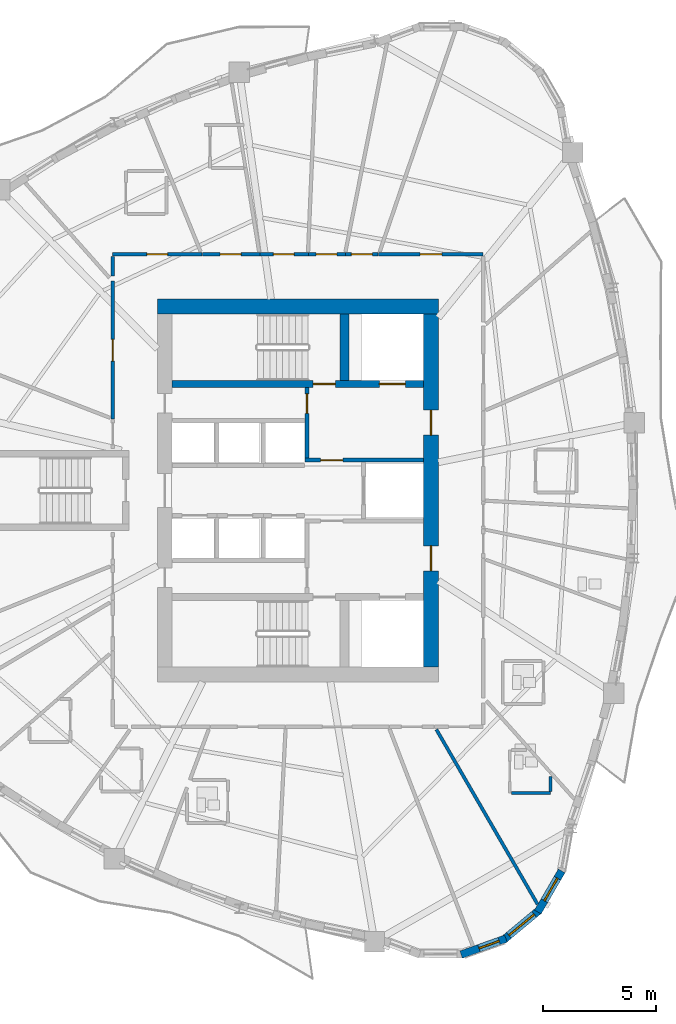
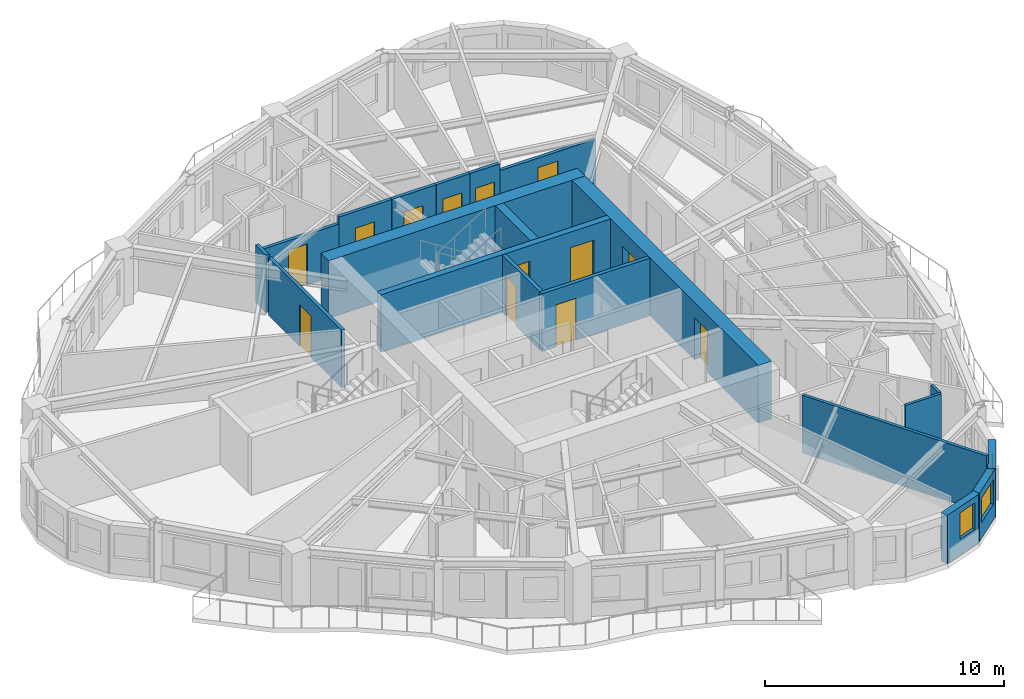
# One storey, part 6 of 13: 20 walls, 13 doors, 3 windows, 16 openings.
"""IFC4 building model written with IfcOpenShell, lengths in metres."""

from ifc_helpers import new_model, si_unit, direction, frame, frame_2d, origin, place, context, subcontext, project, spatial, rectangle, extrude, source, transform, mapped, material, layer, layer_set, type_object, element, fill, save


model = new_model("IFC4")

# Units and contexts
model_context = context("Model", 3, precision=1e-05, world=origin(), true_north=direction((0.0, 1.0)))
body_context = subcontext(model_context, "Body", "Model", "MODEL_VIEW")
ifc_project = project(units=[si_unit("LENGTHUNIT", "METRE"), si_unit("AREAUNIT", "SQUARE_METRE"), si_unit("VOLUMEUNIT", "CUBIC_METRE"), si_unit("PLANEANGLEUNIT", "RADIAN"), si_unit("MASSUNIT", "GRAM", prefix="KILO")], contexts=[model_context])

# Site, building, storey
site_placement = place(None, origin())
site = spatial("IfcSite", under=ifc_project, at=site_placement, CompositionType="ELEMENT")
building_placement = place(site_placement, origin())
building = spatial("IfcBuilding", under=site, at=building_placement, Name="Qafzar Sky-Pleat Residences", CompositionType="ELEMENT")
storey_placement = place(building_placement, frame((0.0, 0.0, 99.199951171875)))
storey = spatial("IfcBuildingStorey", under=building, at=storey_placement, Name="L29", CompositionType="ELEMENT", Elevation=99.199951171875)

# Wall, opening, door
ifc_material_1 = material(Name="Acoustic gypsum plasterboard partition", Category="gypsum")
ifc_layer_1 = layer(ifc_material_1, 0.159912109375)
ifc_layer_set_1 = layer_set([ifc_layer_1], Name="Acoustic gypsum plasterboard partition")
wall_type_1 = type_object("IfcWallType", Name="PART-COR-160", PredefinedType="PARTITIONING", material=ifc_layer_set_1)
wall_1_placement = place(storey_placement, frame((22.169921875, 29.14794921875, 0.0), z_axis=(0.0, 0.0, 1.0), x_axis=(0.0, 1.0, 0.0)))
wall_1 = element("IfcWall", 1, at=wall_1_placement, inside=storey, type_object=wall_type_1, Name="L29 Partition Wall PART-L29-PW-002", PredefinedType="PARTITIONING", context=body_context, shape_type="SweptSolid", body=[
    extrude(rectangle(XDim=6.10595703125, YDim=0.159912109375, at=frame_2d((3.052978515625, 0.0))), origin(), (0.0, 0.0, 1.0), 2.949951171875),
])
opening_1_placement = place(wall_1_placement, frame((2.569580078125, 0.0, 0.0)))
opening_1 = element("IfcOpeningElement", 2, at=opening_1_placement, cuts=wall_1, Name="Opening ID-06", PredefinedType="OPENING", context=body_context, shape_type="SweptSolid", body=[
    extrude(rectangle(XDim=0.9599609375, YDim=2.10009765625, at=frame_2d((0.47998046875, 1.050048828125))), frame((0.0, 0.08984375, 0.0), z_axis=(0.0, -1.0, 0.0), x_axis=(1.0, 0.0, 0.0)), (0.0, 0.0, 1.0), 0.179931640625),
])
ifc_material_2 = material(Name="Timber-faced fire door", Category="wood")
door_type_1 = type_object("IfcDoorType", Name="DR-STD-960", OperationType="NOTDEFINED", PredefinedType="DOOR", material=ifc_material_2)
shared_shape_1 = source(origin(), body_context, "Body", "SweptSolid", [
    extrude(rectangle(XDim=0.9599609375, YDim=2.10009765625, at=frame_2d((0.47998046875, 1.050048828125))), frame((0.0, 0.02490234375, 0.0), z_axis=(0.0, -1.0, 0.0), x_axis=(1.0, 0.0, 0.0)), (0.0, 0.0, 1.0), 0.050048828125),
])
door_1_placement = place(opening_1_placement, origin())
door_1 = element("IfcDoor", 3, at=door_1_placement, inside=storey, type_object=door_type_1, Name="L29 Media Screening Room Door", OperationType="SINGLE_SWING_LEFT", OverallHeight=2.10009765625, OverallWidth=0.9599609375, PredefinedType="DOOR", context=body_context, shape_type="MappedRepresentation", body=[
    mapped(shared_shape_1, transform((0.0, 0.0, 0.0), x_axis=(1.0, 0.0, 0.0), y_axis=(0.0, 1.0, 0.0), z_axis=(0.0, 0.0, 1.0), scale=1.0)),
])
fill(opening_1, door_1)

wall_2_placement = place(storey_placement, frame((33.906005859375, 36.429931640625, 0.0), z_axis=(0.0, 0.0, 1.0), x_axis=(1.0, 0.0, 0.0)))
wall_2 = element("IfcWall", 4, at=wall_2_placement, inside=storey, type_object=wall_type_1, Name="L29 Partition Wall PART-L29-PW-003", PredefinedType="PARTITIONING", context=body_context, shape_type="SweptSolid", body=[
    extrude(rectangle(XDim=4.6240234375, YDim=0.159912109375, at=frame_2d((2.31201171875, 0.0))), origin(), (0.0, 0.0, 1.0), 2.588134765625),
])
opening_2_placement = place(wall_2_placement, frame((1.840087890625, 0.0, 0.0)))
opening_2 = element("IfcOpeningElement", 5, at=opening_2_placement, cuts=wall_2, Name="Opening ID-06", PredefinedType="OPENING", context=body_context, shape_type="SweptSolid", body=[
    extrude(rectangle(XDim=0.9599609375, YDim=2.10009765625, at=frame_2d((0.47998046875, 1.050048828125))), frame((0.0, 0.08984375, 0.0), z_axis=(0.0, -1.0, 0.0), x_axis=(1.0, 0.0, 0.0)), (0.0, 0.0, 1.0), 0.179931640625),
])
door_2_placement = place(opening_2_placement, origin())
door_2 = element("IfcDoor", 6, at=door_2_placement, inside=storey, type_object=door_type_1, Name="L29 Wellness Yoga Studio Door", OperationType="SINGLE_SWING_RIGHT", OverallHeight=2.10009765625, OverallWidth=0.9599609375, PredefinedType="DOOR", context=body_context, shape_type="MappedRepresentation", body=[
    mapped(shared_shape_1, transform((0.0, 0.0, 0.0), x_axis=(1.0, 0.0, 0.0), y_axis=(0.0, 1.0, 0.0), z_axis=(0.0, 0.0, 1.0), scale=1.0)),
])
fill(opening_2, door_2)

wall_3_placement = place(storey_placement, frame((22.169921875, 36.429931640625, 0.0), z_axis=(0.0, 0.0, 1.0), x_axis=(1.0, 0.0, 0.0)))
wall_3 = element("IfcWall", 7, at=wall_3_placement, inside=storey, type_object=wall_type_1, Name="L29 Partition Wall PART-L29-PW-006", PredefinedType="PARTITIONING", context=body_context, shape_type="SweptSolid", body=[
    extrude(rectangle(XDim=3.947998046875, YDim=0.159912109375, at=frame_2d((1.97412109375, 0.0))), origin(), (0.0, 0.0, 1.0), 2.588134765625),
])
opening_3_placement = place(wall_3_placement, frame((1.506103515625, 0.0, 0.0)))
opening_3 = element("IfcOpeningElement", 8, at=opening_3_placement, cuts=wall_3, Name="Opening ID-04", PredefinedType="OPENING", context=body_context, shape_type="SweptSolid", body=[
    extrude(rectangle(XDim=0.919921875, YDim=2.10009765625, at=frame_2d((0.4599609375, 1.050048828125))), frame((0.0, 0.08984375, 0.0), z_axis=(0.0, -1.0, 0.0), x_axis=(1.0, 0.0, 0.0)), (0.0, 0.0, 1.0), 0.179931640625),
])
door_type_2 = type_object("IfcDoorType", Name="DR-BED-920", OperationType="NOTDEFINED", PredefinedType="DOOR", material=ifc_material_2)
shared_shape_2 = source(origin(), body_context, "Body", "SweptSolid", [
    extrude(rectangle(XDim=0.919921875, YDim=2.10009765625, at=frame_2d((0.4599609375, 1.050048828125))), frame((0.0, 0.02490234375, 0.0), z_axis=(0.0, -1.0, 0.0), x_axis=(1.0, 0.0, 0.0)), (0.0, 0.0, 1.0), 0.050048828125),
])
door_3_placement = place(opening_3_placement, origin())
door_3 = element("IfcDoor", 9, at=door_3_placement, inside=storey, type_object=door_type_2, Name="L29 Co-Living Bedroom 10 Door", OperationType="SINGLE_SWING_RIGHT", OverallHeight=2.10009765625, OverallWidth=0.919921875, PredefinedType="DOOR", context=body_context, shape_type="MappedRepresentation", body=[
    mapped(shared_shape_2, transform((0.0, 0.0, 0.0), x_axis=(1.0, 0.0, 0.0), y_axis=(0.0, 1.0, 0.0), z_axis=(0.0, 0.0, 1.0), scale=1.0)),
])
fill(opening_3, door_3)

wall_4_placement = place(storey_placement, frame((26.133056640625, 36.429931640625, 0.0), z_axis=(0.0, 0.0, 1.0), x_axis=(1.0, 0.0, 0.0)))
wall_4 = element("IfcWall", 10, at=wall_4_placement, inside=storey, type_object=wall_type_1, Name="L29 Partition Wall PART-L29-PW-011", PredefinedType="PARTITIONING", context=body_context, shape_type="SweptSolid", body=[
    extrude(rectangle(XDim=2.537841796875, YDim=0.159912109375, at=frame_2d((1.26904296875, 0.0))), origin(), (0.0, 0.0, 1.0), 2.949951171875),
])
opening_4_placement = place(wall_4_placement, frame((0.785888671875, 0.0, 0.0)))
opening_4 = element("IfcOpeningElement", 11, at=opening_4_placement, cuts=wall_4, Name="Opening ID-04", PredefinedType="OPENING", context=body_context, shape_type="SweptSolid", body=[
    extrude(rectangle(XDim=0.919921875, YDim=2.10009765625, at=frame_2d((0.4599609375, 1.050048828125))), frame((0.0, 0.08984375, 0.0), z_axis=(0.0, -1.0, 0.0), x_axis=(1.0, 0.0, 0.0)), (0.0, 0.0, 1.0), 0.179931640625),
])
door_4_placement = place(opening_4_placement, origin())
door_4 = element("IfcDoor", 12, at=door_4_placement, inside=storey, type_object=door_type_2, Name="L29 Co-Living Bedroom 8 Door", OperationType="SINGLE_SWING_RIGHT", OverallHeight=2.10009765625, OverallWidth=0.919921875, PredefinedType="DOOR", context=body_context, shape_type="MappedRepresentation", body=[
    mapped(shared_shape_2, transform((0.0, 0.0, 0.0), x_axis=(1.0, 0.0, 0.0), y_axis=(0.0, 1.0, 0.0), z_axis=(0.0, 0.0, 1.0), scale=1.0)),
])
fill(opening_4, door_4)

wall_5_placement = place(storey_placement, frame((28.68603515625, 36.429931640625, 0.0), z_axis=(0.0, 0.0, 1.0), x_axis=(1.0, 0.0, 0.0)))
wall_5 = element("IfcWall", 13, at=wall_5_placement, inside=storey, type_object=wall_type_1, Name="L29 Partition Wall PART-L29-PW-014", PredefinedType="PARTITIONING", context=body_context, shape_type="SweptSolid", body=[
    extrude(rectangle(XDim=2.123046875, YDim=0.159912109375, at=frame_2d((1.0615234375, 0.0))), origin(), (0.0, 0.0, 1.0), 2.949951171875),
])
opening_5_placement = place(wall_5_placement, frame((0.5791015625, 0.0, 0.0)))
opening_5 = element("IfcOpeningElement", 14, at=opening_5_placement, cuts=wall_5, Name="Opening ID-04", PredefinedType="OPENING", context=body_context, shape_type="SweptSolid", body=[
    extrude(rectangle(XDim=0.919921875, YDim=2.10009765625, at=frame_2d((0.4599609375, 1.050048828125))), frame((0.0, 0.08984375, 0.0), z_axis=(0.0, -1.0, 0.0), x_axis=(1.0, 0.0, 0.0)), (0.0, 0.0, 1.0), 0.179931640625),
])
door_5_placement = place(opening_5_placement, origin())
door_5 = element("IfcDoor", 15, at=door_5_placement, inside=storey, type_object=door_type_2, Name="L29 Co-Living Bedroom 9 Door", OperationType="SINGLE_SWING_LEFT", OverallHeight=2.10009765625, OverallWidth=0.919921875, PredefinedType="DOOR", context=body_context, shape_type="MappedRepresentation", body=[
    mapped(shared_shape_2, transform((0.0, 0.0, 0.0), x_axis=(1.0, 0.0, 0.0), y_axis=(0.0, 1.0, 0.0), z_axis=(0.0, 0.0, 1.0), scale=1.0)),
])
fill(opening_5, door_5)

wall_6_placement = place(storey_placement, frame((30.823974609375, 36.429931640625, 0.0), z_axis=(0.0, 0.0, 1.0), x_axis=(1.0, 0.0, 0.0)))
wall_6 = element("IfcWall", 16, at=wall_6_placement, inside=storey, type_object=wall_type_1, Name="L29 Partition Wall PART-L29-PW-024", PredefinedType="PARTITIONING", context=body_context, shape_type="SweptSolid", body=[
    extrude(rectangle(XDim=1.619140625, YDim=0.159912109375, at=frame_2d((0.8095703125, 0.0))), origin(), (0.0, 0.0, 1.0), 2.949951171875),
])
opening_6_placement = place(wall_6_placement, frame((0.326904296875, 0.0, 0.0)))
opening_6 = element("IfcOpeningElement", 17, at=opening_6_placement, cuts=wall_6, Name="Opening ID-04", PredefinedType="OPENING", context=body_context, shape_type="SweptSolid", body=[
    extrude(rectangle(XDim=0.919921875, YDim=2.10009765625, at=frame_2d((0.4599609375, 1.050048828125))), frame((0.0, 0.08984375, 0.0), z_axis=(0.0, -1.0, 0.0), x_axis=(1.0, 0.0, 0.0)), (0.0, 0.0, 1.0), 0.179931640625),
])
door_6_placement = place(opening_6_placement, origin())
door_6 = element("IfcDoor", 18, at=door_6_placement, inside=storey, type_object=door_type_2, Name="L29 Co-Living Bedroom 6 Door", OperationType="SINGLE_SWING_LEFT", OverallHeight=2.10009765625, OverallWidth=0.919921875, PredefinedType="DOOR", context=body_context, shape_type="MappedRepresentation", body=[
    mapped(shared_shape_2, transform((0.0, 0.0, 0.0), x_axis=(1.0, 0.0, 0.0), y_axis=(0.0, 1.0, 0.0), z_axis=(0.0, 0.0, 1.0), scale=1.0)),
])
fill(opening_6, door_6)

wall_7_placement = place(storey_placement, frame((32.4580078125, 36.429931640625, 0.0), z_axis=(0.0, 0.0, 1.0), x_axis=(1.0, 0.0, 0.0)))
wall_7 = element("IfcWall", 19, at=wall_7_placement, inside=storey, type_object=wall_type_1, Name="L29 Partition Wall PART-L29-PW-027", PredefinedType="PARTITIONING", context=body_context, shape_type="SweptSolid", body=[
    extrude(rectangle(XDim=1.43310546875, YDim=0.159912109375, at=frame_2d((0.716552734375, 0.0))), origin(), (0.0, 0.0, 1.0), 2.949951171875),
])
opening_7_placement = place(wall_7_placement, frame((0.257080078125, 0.0, 0.0)))
opening_7 = element("IfcOpeningElement", 20, at=opening_7_placement, cuts=wall_7, Name="Opening ID-04", PredefinedType="OPENING", context=body_context, shape_type="SweptSolid", body=[
    extrude(rectangle(XDim=0.919921875, YDim=2.10009765625, at=frame_2d((0.4599609375, 1.050048828125))), frame((0.0, 0.08984375, 0.0), z_axis=(0.0, -1.0, 0.0), x_axis=(1.0, 0.0, 0.0)), (0.0, 0.0, 1.0), 0.179931640625),
])
door_7_placement = place(opening_7_placement, origin())
door_7 = element("IfcDoor", 21, at=door_7_placement, inside=storey, type_object=door_type_2, Name="L29 Co-Living Bedroom 7 Door", OperationType="SINGLE_SWING_RIGHT", OverallHeight=2.10009765625, OverallWidth=0.919921875, PredefinedType="DOOR", context=body_context, shape_type="MappedRepresentation", body=[
    mapped(shared_shape_2, transform((0.0, 0.0, 0.0), x_axis=(1.0, 0.0, 0.0), y_axis=(0.0, 1.0, 0.0), z_axis=(0.0, 0.0, 1.0), scale=1.0)),
])
fill(opening_7, door_7)

# Wall
wall_8_placement = place(storey_placement, frame((22.169921875, 35.4765625, 0.0), z_axis=(0.0, 0.0, 1.0), x_axis=(0.0, 1.0, 0.0)))
element("IfcWall", 22, at=wall_8_placement, inside=storey, type_object=wall_type_1, Name="L29 Partition Wall PART-L29-PW-080", PredefinedType="PARTITIONING", context=body_context, shape_type="SweptSolid", body=[
    extrude(rectangle(XDim=0.865478515625, YDim=0.159912109375, at=frame_2d((0.4326171875, 0.0))), origin(), (0.0, 0.0, 1.0), 2.949951171875),
])

# Wall, opening, door
ifc_material_3 = material(Name="Concrete blockwork partition", Category="masonry")
ifc_layer_2 = layer(ifc_material_3, 0.179931640625)
ifc_layer_set_2 = layer_set([ifc_layer_2], Name="Concrete blockwork partition")
wall_type_2 = type_object("IfcWallType", Name="PART-SHAFT-180", PredefinedType="PARTITIONING", material=ifc_layer_set_2)
wall_9_placement = place(storey_placement, frame((30.75, 27.429931640625, 0.0), z_axis=(0.0, 0.0, 1.0), x_axis=(0.0, 1.0, 0.0)))
wall_9 = element("IfcWall", 23, at=wall_9_placement, inside=storey, type_object=wall_type_2, Name="L29 Partition Wall PART-L29-FFL2-W", PredefinedType="PARTITIONING", context=body_context, shape_type="SweptSolid", body=[
    extrude(rectangle(XDim=3.110107421875, YDim=0.179931640625, at=frame_2d((1.55517578125, 0.0))), origin(), (0.0, 0.0, 1.0), 2.949951171875),
])
opening_8_placement = place(wall_9_placement, frame((1.97998046875, 0.0, 0.0)))
opening_8 = element("IfcOpeningElement", 24, at=opening_8_placement, cuts=wall_9, Name="Opening ID-09", PredefinedType="OPENING", context=body_context, shape_type="SweptSolid", body=[
    extrude(rectangle(XDim=0.860107421875, YDim=2.050048828125, at=frame_2d((0.43017578125, 1.02490234375))), frame((0.0, 0.10009765625, 0.0), z_axis=(0.0, -1.0, 0.0), x_axis=(1.0, 0.0, 0.0)), (0.0, 0.0, 1.0), 0.199951171875),
])
door_type_3 = type_object("IfcDoorType", Name="DR-SVC-860", OperationType="NOTDEFINED", PredefinedType="DOOR", material=ifc_material_2)
shared_shape_3 = source(origin(), body_context, "Body", "SweptSolid", [
    extrude(rectangle(XDim=0.860107421875, YDim=2.050048828125, at=frame_2d((0.43017578125, 1.02490234375))), frame((0.0, 0.02490234375, 0.0), z_axis=(0.0, -1.0, 0.0), x_axis=(1.0, 0.0, 0.0)), (0.0, 0.0, 1.0), 0.050048828125),
])
door_8_placement = place(opening_8_placement, origin())
door_8 = element("IfcDoor", 25, at=door_8_placement, inside=storey, type_object=door_type_3, Name="L29 North Core Cupboard Door", OperationType="SINGLE_SWING_RIGHT", OverallHeight=2.050048828125, OverallWidth=0.860107421875, PredefinedType="DOOR", context=body_context, shape_type="MappedRepresentation", body=[
    mapped(shared_shape_3, transform((0.0, 0.0, 0.0), x_axis=(1.0, 0.0, 0.0), y_axis=(0.0, 1.0, 0.0), z_axis=(0.0, 0.0, 1.0), scale=1.0)),
])
fill(opening_8, door_8)

wall_10_placement = place(storey_placement, frame((30.669921875, 27.340087890625, 0.0), z_axis=(0.0, 0.0, 1.0), x_axis=(1.0, 0.0, 0.0)))
wall_10 = element("IfcWall", 26, at=wall_10_placement, inside=storey, type_object=wall_type_2, Name="L29 Partition Wall PART-L29-FFL2-S", PredefinedType="PARTITIONING", context=body_context, shape_type="SweptSolid", body=[
    extrude(rectangle(XDim=5.219970703125, YDim=0.179931640625, at=frame_2d((2.60986328125, 0.0))), origin(), (0.0, 0.0, 1.0), 2.949951171875),
])
opening_9_placement = place(wall_10_placement, frame((0.679931640625, 0.0, 0.0)))
opening_9 = element("IfcOpeningElement", 27, at=opening_9_placement, cuts=wall_10, Name="Opening ID-01", PredefinedType="OPENING", context=body_context, shape_type="SweptSolid", body=[
    extrude(rectangle(XDim=0.97998046875, YDim=2.14990234375, at=frame_2d((0.489990234375, 1.074951171875))), frame((0.0, 0.10009765625, 0.0), z_axis=(0.0, -1.0, 0.0), x_axis=(1.0, 0.0, 0.0)), (0.0, 0.0, 1.0), 0.199951171875),
])
door_type_4 = type_object("IfcDoorType", Name="DR-STAIR-980", OperationType="NOTDEFINED", PredefinedType="DOOR", material=ifc_material_2)
shared_shape_4 = source(origin(), body_context, "Body", "SweptSolid", [
    extrude(rectangle(XDim=0.97998046875, YDim=2.14990234375, at=frame_2d((0.489990234375, 1.074951171875))), frame((0.0, 0.02490234375, 0.0), z_axis=(0.0, -1.0, 0.0), x_axis=(1.0, 0.0, 0.0)), (0.0, 0.0, 1.0), 0.050048828125),
])
door_9_placement = place(opening_9_placement, origin())
door_9 = element("IfcDoor", 28, at=door_9_placement, inside=storey, type_object=door_type_4, Name="L29 Lift Lobby to North Firefighting Lobby Door", OperationType="SINGLE_SWING_LEFT", OverallHeight=2.14990234375, OverallWidth=0.97998046875, PredefinedType="DOOR", context=body_context, shape_type="MappedRepresentation", body=[
    mapped(shared_shape_4, transform((0.0, 0.0, 0.0), x_axis=(1.0, 0.0, 0.0), y_axis=(0.0, 1.0, 0.0), z_axis=(0.0, 0.0, 1.0), scale=1.0)),
])
fill(opening_9, door_9)

# Walls
ifc_layer_3 = layer(ifc_material_1, 0.14501953125)
ifc_layer_set_3 = layer_set([ifc_layer_3], Name="Acoustic gypsum plasterboard partition")
wall_type_3 = type_object("IfcWallType", Name="PART-UNIT-145", PredefinedType="PARTITIONING", material=ifc_layer_set_3)
wall_11_placement = place(storey_placement, frame((36.46337890625, 15.44677734375, 0.0), z_axis=(0.0, 0.0, 1.0), x_axis=(0.501201369888, -0.86533068062, 0.0)))
element("IfcWall", 29, at=wall_11_placement, inside=storey, type_object=wall_type_3, Name="L29 Partition Wall PART-L29-PW-037", PredefinedType="PARTITIONING", context=body_context, shape_type="SweptSolid", body=[
    extrude(rectangle(XDim=8.91796875, YDim=0.14501953125, at=frame_2d((4.458984375, 0.0))), origin(), (0.0, 0.0, 1.0), 2.949951171875),
])
ifc_material_4 = material(Name="Moisture-resistant gypsum partition", Category="gypsum")
ifc_layer_4 = layer(ifc_material_4, 0.1298828125)
ifc_layer_set_4 = layer_set([ifc_layer_4], Name="Moisture-resistant gypsum partition")
wall_type_4 = type_object("IfcWallType", Name="PART-WET-130", PredefinedType="PARTITIONING", material=ifc_layer_set_4)
wall_12_placement = place(storey_placement, frame((39.777099609375, 12.64599609375, 0.0), z_axis=(0.0, 0.0, 1.0), x_axis=(1.0, 0.0, 0.0)))
element("IfcWall", 30, at=wall_12_placement, inside=storey, type_object=wall_type_4, Name="L29 Partition Wall PART-L29-PW-068", PredefinedType="PARTITIONING", context=body_context, shape_type="SweptSolid", body=[
    extrude(rectangle(XDim=1.726806640625, YDim=0.1298828125, at=frame_2d((0.86328125, 0.0))), origin(), (0.0, 0.0, 1.0), 2.949951171875),
])
wall_13_placement = place(storey_placement, frame((41.50390625, 12.718994140625, 0.0), z_axis=(0.0, 0.0, 1.0), x_axis=(0.0, 1.0, 0.0)))
element("IfcWall", 31, at=wall_13_placement, inside=storey, type_object=wall_type_4, Name="L29 Partition Wall PART-L29-PW-084", PredefinedType="PARTITIONING", context=body_context, shape_type="SweptSolid", body=[
    extrude(rectangle(XDim=0.642822265625, YDim=0.1298828125, at=frame_2d((0.3212890625, 0.0))), origin(), (0.0, 0.0, 1.0), 2.949951171875),
])

# Wall, opening, window
ifc_material_5 = material(Name="Precast concrete C40/50 with honed Riyadh limestone", Category="concrete")
ifc_layer_5 = layer(ifc_material_5, 0.340087890625)
ifc_layer_set_5 = layer_set([ifc_layer_5], Name="Precast concrete C40/50 with honed Riyadh limestone")
wall_type_5 = type_object("IfcWallType", Name="WALL-EXT-340", PredefinedType="SOLIDWALL", material=ifc_layer_set_5)
wall_14_placement = place(storey_placement, frame((37.556884765625, 5.506103515625, 0.0), z_axis=(0.0, 0.0, 1.0), x_axis=(0.941523304278, 0.336947870598, 0.0)))
wall_14 = element("IfcWall", 32, at=wall_14_placement, inside=storey, type_object=wall_type_5, Name="L29 Limestone Facade Wall 19", PredefinedType="SOLIDWALL", context=body_context, shape_type="SweptSolid", body=[
    extrude(rectangle(XDim=2.09912109375, YDim=0.340087890625, at=frame_2d((1.049560546875, 0.0))), origin(), (0.0, 0.0, 1.0), 2.47998046875),
])
opening_10_placement = place(wall_14_placement, frame((0.835205078125, 0.0, 0.820068359375)))
opening_10 = element("IfcOpeningElement", 33, at=opening_10_placement, cuts=wall_14, Name="Opening WN-12", PredefinedType="OPENING", context=body_context, shape_type="SweptSolid", body=[
    extrude(rectangle(XDim=0.949951171875, YDim=1.35009765625, at=frame_2d((0.47509765625, 0.675048828125))), frame((0.0, 0.18017578125, 0.0), z_axis=(0.0, -1.0, 0.0), x_axis=(1.0, 0.0, 0.0)), (0.0, 0.0, 1.0), 0.360107421875),
])
ifc_material_6 = material(Name="Solar-control low-E glass in bronze aluminium frame", Category="glass")
window_type_1 = type_object("IfcWindowType", Name="WIN-12", PartitioningType="SINGLE_PANEL", PredefinedType="WINDOW", material=ifc_material_6)
shared_shape_5 = source(origin(), body_context, "Body", "SweptSolid", [
    extrude(rectangle(XDim=0.949951171875, YDim=1.35009765625, at=frame_2d((0.47509765625, 0.675048828125))), frame((0.0, 0.030029296875, 0.0), z_axis=(0.0, -1.0, 0.0), x_axis=(1.0, 0.0, 0.0)), (0.0, 0.0, 1.0), 0.06005859375),
])
window_1_placement = place(opening_10_placement, origin())
window_1 = element("IfcWindow", 34, at=window_1_placement, inside=storey, type_object=window_type_1, Name="L29 Punched Facade Window 19-2", OverallHeight=1.35009765625, OverallWidth=0.949951171875, PartitioningType="SINGLE_PANEL", PredefinedType="WINDOW", context=body_context, shape_type="MappedRepresentation", body=[
    mapped(shared_shape_5, transform((0.0, 0.0, 0.0), x_axis=(1.0, 0.0, 0.0), y_axis=(0.0, 1.0, 0.0), z_axis=(0.0, 0.0, 1.0), scale=1.0)),
])
fill(opening_10, window_1)

wall_15_placement = place(storey_placement, frame((39.41650390625, 6.14697265625, 0.0), z_axis=(0.0, 0.0, 1.0), x_axis=(0.768497696041, 0.639852554249, 0.0)))
wall_15 = element("IfcWall", 35, at=wall_15_placement, inside=storey, type_object=wall_type_5, Name="L29 Limestone Facade Wall 20", PredefinedType="SOLIDWALL", context=body_context, shape_type="SweptSolid", body=[
    extrude(rectangle(XDim=2.098876953125, YDim=0.340087890625, at=frame_2d((1.04931640625, 0.0))), origin(), (0.0, 0.0, 1.0), 2.47998046875),
])
opening_11_placement = place(wall_15_placement, frame((0.324462890625, 0.0, 0.820068359375)))
opening_11 = element("IfcOpeningElement", 36, at=opening_11_placement, cuts=wall_15, Name="Opening WN-15", PredefinedType="OPENING", context=body_context, shape_type="SweptSolid", body=[
    extrude(rectangle(XDim=1.449951171875, YDim=1.25, at=frame_2d((0.72509765625, 0.625))), frame((0.0, 0.18017578125, 0.0), z_axis=(0.0, -1.0, 0.0), x_axis=(1.0, 0.0, 0.0)), (0.0, 0.0, 1.0), 0.360107421875),
])
window_type_2 = type_object("IfcWindowType", Name="WIN-15", PartitioningType="SINGLE_PANEL", PredefinedType="WINDOW", material=ifc_material_6)
shared_shape_6 = source(origin(), body_context, "Body", "SweptSolid", [
    extrude(rectangle(XDim=1.449951171875, YDim=1.25, at=frame_2d((0.72509765625, 0.625))), frame((0.0, 0.030029296875, 0.0), z_axis=(0.0, -1.0, 0.0), x_axis=(1.0, 0.0, 0.0)), (0.0, 0.0, 1.0), 0.06005859375),
])
window_2_placement = place(opening_11_placement, origin())
window_2 = element("IfcWindow", 37, at=window_2_placement, inside=storey, type_object=window_type_2, Name="L29 Punched Facade Window 20", OverallHeight=1.25, OverallWidth=1.449951171875, PartitioningType="SINGLE_PANEL", PredefinedType="WINDOW", context=body_context, shape_type="MappedRepresentation", body=[
    mapped(shared_shape_6, transform((0.0, 0.0, 0.0), x_axis=(1.0, 0.0, 0.0), y_axis=(0.0, 1.0, 0.0), z_axis=(0.0, 0.0, 1.0), scale=1.0)),
])
fill(opening_11, window_2)

wall_16_placement = place(storey_placement, frame((40.943115234375, 7.387451171875, 0.0), z_axis=(0.0, 0.0, 1.0), x_axis=(0.501902596059, 0.864924149315, 0.0)))
wall_16 = element("IfcWall", 38, at=wall_16_placement, inside=storey, type_object=wall_type_5, Name="L29 Limestone Facade Wall 21", PredefinedType="SOLIDWALL", context=body_context, shape_type="SweptSolid", body=[
    extrude(rectangle(XDim=2.098876953125, YDim=0.340087890625, at=frame_2d((1.04931640625, 0.0))), origin(), (0.0, 0.0, 1.0), 2.47998046875),
])
opening_12_placement = place(wall_16_placement, frame((0.573974609375, 0.0, 0.820068359375)))
opening_12 = element("IfcOpeningElement", 39, at=opening_12_placement, cuts=wall_16, Name="Opening WN-16", PredefinedType="OPENING", context=body_context, shape_type="SweptSolid", body=[
    extrude(rectangle(XDim=1.14990234375, YDim=1.199951171875, at=frame_2d((0.574951171875, 0.60009765625))), frame((0.0, 0.18017578125, 0.0), z_axis=(0.0, -1.0, 0.0), x_axis=(1.0, 0.0, 0.0)), (0.0, 0.0, 1.0), 0.360107421875),
])
window_type_3 = type_object("IfcWindowType", Name="WIN-16", PartitioningType="SINGLE_PANEL", PredefinedType="WINDOW", material=ifc_material_6)
shared_shape_7 = source(origin(), body_context, "Body", "SweptSolid", [
    extrude(rectangle(XDim=1.14990234375, YDim=1.199951171875, at=frame_2d((0.574951171875, 0.60009765625))), frame((0.0, 0.030029296875, 0.0), z_axis=(0.0, -1.0, 0.0), x_axis=(1.0, 0.0, 0.0)), (0.0, 0.0, 1.0), 0.06005859375),
])
window_3_placement = place(opening_12_placement, origin())
window_3 = element("IfcWindow", 40, at=window_3_placement, inside=storey, type_object=window_type_3, Name="L29 Punched Facade Window 21", OverallHeight=1.199951171875, OverallWidth=1.14990234375, PartitioningType="SINGLE_PANEL", PredefinedType="WINDOW", context=body_context, shape_type="MappedRepresentation", body=[
    mapped(shared_shape_7, transform((0.0, 0.0, 0.0), x_axis=(1.0, 0.0, 0.0), y_axis=(0.0, 1.0, 0.0), z_axis=(0.0, 0.0, 1.0), scale=1.0)),
])
fill(opening_12, window_3)

# Wall, openings, doors
ifc_material_7 = material(Name="Concrete C60/75", Category="concrete")
ifc_layer_6 = layer(ifc_material_7, 0.300048828125)
ifc_layer_set_6 = layer_set([ifc_layer_6], Name="Concrete C60/75")
wall_type_6 = type_object("IfcWallType", Name="WALL-SHEAR-300", PredefinedType="SHEAR", material=ifc_layer_set_6)
wall_17_placement = place(storey_placement, frame((24.800048828125, 30.699951171875, 0.0), z_axis=(0.0, 0.0, 1.0), x_axis=(1.0, 0.0, 0.0)))
wall_17 = element("IfcWall", 41, at=wall_17_placement, inside=storey, type_object=wall_type_6, Name="L29 Stair ST2 and FF2 Shaft South Wall", PredefinedType="SHEAR", context=body_context, shape_type="SweptSolid", body=[
    extrude(rectangle(XDim=11.099853515625, YDim=0.300048828125, at=frame_2d((5.5498046875, 0.0))), origin(), (0.0, 0.0, 1.0), 2.949951171875),
])
opening_13_placement = place(wall_17_placement, frame((6.219970703125, 0.0, 0.0)))
opening_13 = element("IfcOpeningElement", 42, at=opening_13_placement, cuts=wall_17, Name="Opening ID-01", PredefinedType="OPENING", context=body_context, shape_type="SweptSolid", body=[
    extrude(rectangle(XDim=0.97998046875, YDim=2.14990234375, at=frame_2d((0.489990234375, 1.074951171875))), frame((0.0, 0.16015625, 0.0), z_axis=(0.0, -1.0, 0.0), x_axis=(1.0, 0.0, 0.0)), (0.0, 0.0, 1.0), 0.320068359375),
])
opening_14_placement = place(wall_17_placement, frame((9.14990234375, 0.0, 0.0)))
opening_14 = element("IfcOpeningElement", 43, at=opening_14_placement, cuts=wall_17, Name="Opening LD-02", PredefinedType="OPENING", context=body_context, shape_type="SweptSolid", body=[
    extrude(rectangle(XDim=1.14990234375, YDim=2.14990234375, at=frame_2d((0.574951171875, 1.074951171875))), frame((0.0, 0.16015625, 0.0), z_axis=(0.0, -1.0, 0.0), x_axis=(1.0, 0.0, 0.0)), (0.0, 0.0, 1.0), 0.320068359375),
])
door_10_placement = place(opening_13_placement, origin())
door_10 = element("IfcDoor", 44, at=door_10_placement, inside=storey, type_object=door_type_4, Name="L29 Stair ST2 Fire Door", OperationType="SINGLE_SWING_RIGHT", OverallHeight=2.14990234375, OverallWidth=0.97998046875, PredefinedType="DOOR", context=body_context, shape_type="MappedRepresentation", body=[
    mapped(shared_shape_4, transform((0.0, 0.0, 0.0), x_axis=(1.0, 0.0, 0.0), y_axis=(0.0, 1.0, 0.0), z_axis=(0.0, 0.0, 1.0), scale=1.0)),
])
fill(opening_13, door_10)
ifc_material_8 = material(Name="Stainless steel sliding landing door", Category="steel")
door_type_5 = type_object("IfcDoorType", Name="DR-LIFT-FF", OperationType="DOUBLE_DOOR_SLIDING", PredefinedType="DOOR", material=ifc_material_8)
shared_shape_8 = source(origin(), body_context, "Body", "SweptSolid", [
    extrude(rectangle(XDim=1.14990234375, YDim=2.14990234375, at=frame_2d((0.574951171875, 1.074951171875))), frame((0.0, 0.02490234375, 0.0), z_axis=(0.0, -1.0, 0.0), x_axis=(1.0, 0.0, 0.0)), (0.0, 0.0, 1.0), 0.050048828125),
])
door_11_placement = place(opening_14_placement, origin())
door_11 = element("IfcDoor", 45, at=door_11_placement, inside=storey, type_object=door_type_5, Name="L29 Firefighting Lift FF2 Landing Door", OperationType="DOUBLE_DOOR_SLIDING", OverallHeight=2.14990234375, OverallWidth=1.14990234375, PredefinedType="DOOR", context=body_context, shape_type="MappedRepresentation", body=[
    mapped(shared_shape_8, transform((0.0, 0.0, 0.0), x_axis=(1.0, 0.0, 0.0), y_axis=(0.0, 1.0, 0.0), z_axis=(0.0, 0.0, 1.0), scale=1.0)),
])
fill(opening_14, door_11)

# Walls
ifc_layer_7 = layer(ifc_material_7, 0.39990234375)
ifc_layer_set_7 = layer_set([ifc_layer_7], Name="Concrete C60/75")
wall_type_7 = type_object("IfcWallType", Name="WALL-SHEAR-400", PredefinedType="SHEAR", material=ifc_layer_set_7)
wall_18_placement = place(storey_placement, frame((32.39990234375, 30.85009765625, 0.0), z_axis=(0.0, 0.0, 1.0), x_axis=(0.0, 1.0, 0.0)))
element("IfcWall", 46, at=wall_18_placement, inside=storey, type_object=wall_type_7, Name="L29 Stair ST2 East Dividing Wall", PredefinedType="SHEAR", context=body_context, shape_type="SweptSolid", body=[
    extrude(rectangle(XDim=2.949951171875, YDim=0.39990234375, at=frame_2d((1.47509765625, 0.0))), origin(), (0.0, 0.0, 1.0), 2.949951171875),
])
ifc_layer_8 = layer(ifc_material_7, 0.64990234375)
ifc_layer_set_8 = layer_set([ifc_layer_8], Name="Concrete C60/75")
wall_type_8 = type_object("IfcWallType", Name="WALL-SHEAR-650", PredefinedType="SHEAR", material=ifc_layer_set_8)
wall_19_placement = place(storey_placement, frame((36.550048828125, 34.125, 0.0), z_axis=(0.0, 0.0, 1.0), x_axis=(-1.0, 0.0, 0.0)))
element("IfcWall", 47, at=wall_19_placement, inside=storey, type_object=wall_type_8, Name="L29 CORE wall N", PredefinedType="SHEAR", context=body_context, shape_type="SweptSolid", body=[
    extrude(rectangle(XDim=12.400146484375, YDim=0.64990234375, at=frame_2d((6.2001953125, 0.0))), origin(), (0.0, 0.0, 1.0), 2.949951171875),
])

# Wall, openings, doors
wall_20_placement = place(storey_placement, frame((36.22509765625, 18.199951171875, 0.0), z_axis=(0.0, 0.0, 1.0), x_axis=(0.0, 1.0, 0.0)))
wall_20 = element("IfcWall", 48, at=wall_20_placement, inside=storey, type_object=wall_type_8, Name="L29 CORE wall E", PredefinedType="SHEAR", context=body_context, shape_type="SweptSolid", body=[
    extrude(rectangle(XDim=15.60009765625, YDim=0.64990234375, at=frame_2d((7.800048828125, 0.0))), origin(), (0.0, 0.0, 1.0), 2.949951171875),
])
opening_15_placement = place(wall_20_placement, frame((4.25, 0.0, 0.0)))
opening_15 = element("IfcOpeningElement", 49, at=opening_15_placement, cuts=wall_20, Name="Opening ID-02", PredefinedType="OPENING", context=body_context, shape_type="SweptSolid", body=[
    extrude(rectangle(XDim=1.10009765625, YDim=2.14990234375, at=frame_2d((0.550048828125, 1.074951171875))), frame((0.0, 0.3349609375, 0.0), z_axis=(0.0, -1.0, 0.0), x_axis=(1.0, 0.0, 0.0)), (0.0, 0.0, 1.0), 0.669921875),
])
opening_16_placement = place(wall_20_placement, frame((10.25, 0.0, 0.0)))
opening_16 = element("IfcOpeningElement", 50, at=opening_16_placement, cuts=wall_20, Name="Opening ID-02", PredefinedType="OPENING", context=body_context, shape_type="SweptSolid", body=[
    extrude(rectangle(XDim=1.10009765625, YDim=2.14990234375, at=frame_2d((0.550048828125, 1.074951171875))), frame((0.0, 0.3349609375, 0.0), z_axis=(0.0, -1.0, 0.0), x_axis=(1.0, 0.0, 0.0)), (0.0, 0.0, 1.0), 0.669921875),
])
door_type_6 = type_object("IfcDoorType", Name="DR-FFL-1100", OperationType="NOTDEFINED", PredefinedType="DOOR", material=ifc_material_2)
shared_shape_9 = source(origin(), body_context, "Body", "SweptSolid", [
    extrude(rectangle(XDim=1.10009765625, YDim=2.14990234375, at=frame_2d((0.550048828125, 1.074951171875))), frame((0.0, 0.02490234375, 0.0), z_axis=(0.0, -1.0, 0.0), x_axis=(1.0, 0.0, 0.0)), (0.0, 0.0, 1.0), 0.050048828125),
])
door_12_placement = place(opening_15_placement, origin())
door_12 = element("IfcDoor", 51, at=door_12_placement, inside=storey, type_object=door_type_6, Name="L29 Firefighting Lobby South Corridor Door", OperationType="SINGLE_SWING_RIGHT", OverallHeight=2.14990234375, OverallWidth=1.10009765625, PredefinedType="DOOR", context=body_context, shape_type="MappedRepresentation", body=[
    mapped(shared_shape_9, transform((0.0, 0.0, 0.0), x_axis=(1.0, 0.0, 0.0), y_axis=(0.0, 1.0, 0.0), z_axis=(0.0, 0.0, 1.0), scale=1.0)),
])
fill(opening_15, door_12)
door_13_placement = place(opening_16_placement, origin())
door_13 = element("IfcDoor", 52, at=door_13_placement, inside=storey, type_object=door_type_6, Name="L29 Firefighting Lobby North Corridor Door", OperationType="SINGLE_SWING_LEFT", OverallHeight=2.14990234375, OverallWidth=1.10009765625, PredefinedType="DOOR", context=body_context, shape_type="MappedRepresentation", body=[
    mapped(shared_shape_9, transform((0.0, 0.0, 0.0), x_axis=(1.0, 0.0, 0.0), y_axis=(0.0, 1.0, 0.0), z_axis=(0.0, 0.0, 1.0), scale=1.0)),
])
fill(opening_16, door_13)

save(model, "model.ifc")
